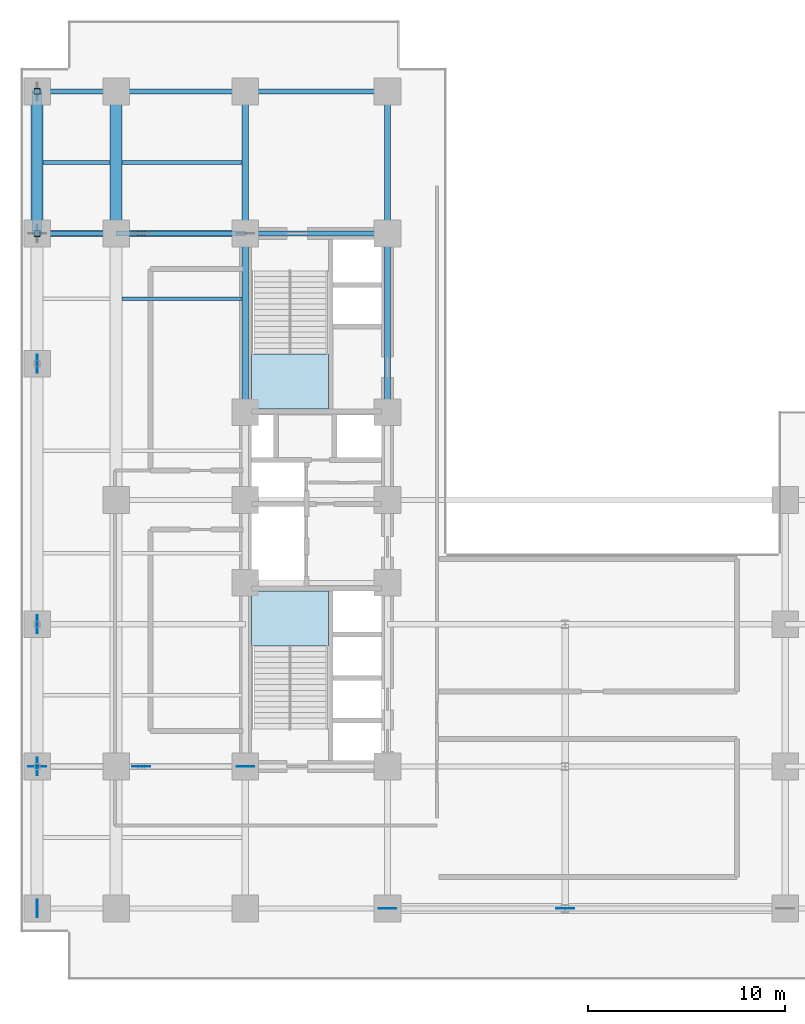
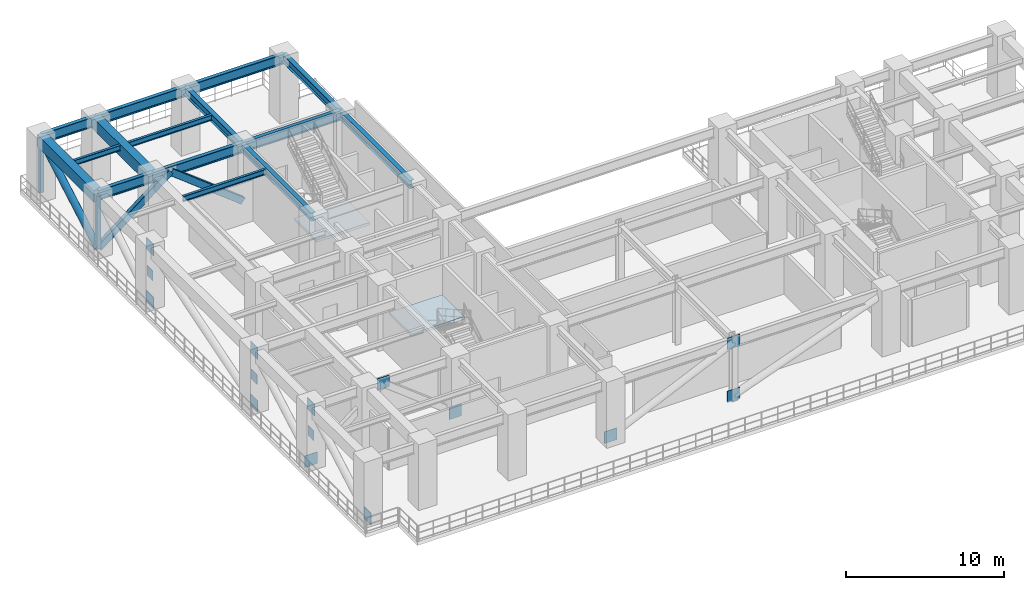
# One storey, part 4 of 15: 15 beams, 15 plates, 5 members, 2 slabs, 2 elements without a shape of their own.
"""IFC4 building model written with IfcOpenShell, lengths in metres."""

from ifc_helpers import new_model, entity, si_unit, converted_unit, direction, frame, origin_with_axes, origin_2d_with_axis, place, context, subcontext, project, spatial, polyline, rectangle, hollow_rectangle, hollow_circle, i_section, outline, extrude, material, layer, layer_set, material_profile, profile_set, type_object, element, aggregate, save


model = new_model("IFC4")

# Units and contexts
model_context = context("Model", 3, precision=1e-05, world=origin_with_axes(), true_north=direction((0.0, 1.0)))
body_context = subcontext(model_context, "Body", "Model", "MODEL_VIEW")
ifc_project = project(units=[si_unit("LENGTHUNIT", "METRE"), si_unit("AREAUNIT", "SQUARE_METRE"), si_unit("VOLUMEUNIT", "CUBIC_METRE"), converted_unit("PLANEANGLEUNIT", "DEGREE", entity("IfcPlaneAngleMeasure", 0.017453292519943295), si_unit("PLANEANGLEUNIT", "RADIAN"), dimensions=[0, 0, 0, 0, 0, 0, 0]), si_unit("MASSUNIT", "GRAM", prefix="KILO"), si_unit("THERMODYNAMICTEMPERATUREUNIT", "KELVIN")], contexts=[model_context])

# Site, building, storey
site_placement = place(None, origin_with_axes())
site = spatial("IfcSite", under=ifc_project, at=site_placement, CompositionType="ELEMENT")
building_placement = place(site_placement, origin_with_axes())
building = spatial("IfcBuilding", under=site, at=building_placement, Name="Varnlund Millrace Tower", CompositionType="ELEMENT")
storey_placement = place(building_placement, frame((0.0, 0.0, 79.5), z_axis=(0.0, 0.0, 1.0), x_axis=(1.0, 0.0, 0.0)))
storey = spatial("IfcBuildingStorey", under=building, at=storey_placement, Name="L19", CompositionType="ELEMENT", Elevation=79.5)

# Members
ifc_material_1 = material(Name="Steel ASTM A500 Grade C", Category="steel")
ifc_material_profile_1 = material_profile(ifc_material_1, hollow_circle(Radius=0.254, WallThickness=0.0147, at=origin_2d_with_axis()), Name="Steel ASTM A500 Grade C")
ifc_profile_set_1 = profile_set([ifc_material_profile_1], Name="Steel ASTM A500 Grade C")
member_type_1 = type_object("IfcMemberType", Name="Type-Belt-Brace-CHS508", PredefinedType="BRACE", material=ifc_profile_set_1)
member_placement = place(storey_placement, frame((0.85, 37.8, 0.35), z_axis=(0.0, 0.868985, 0.494839), x_axis=(-1.0, 0.0, 0.0)))
element("IfcMember", 1, at=member_placement, inside=storey, type_object=member_type_1, Name="Type-Belt-Brace-CHS508", PredefinedType="BRACE", context=body_context, shape_type="SweptSolid", body=[
    extrude(hollow_circle(Radius=0.254, WallThickness=0.0147, at=origin_2d_with_axis()), origin_with_axes(), (0.0, 0.0, 1.0), 8.28553),
])
ifc_material_profile_2 = material_profile(ifc_material_1, hollow_rectangle(XDim=0.305, YDim=0.305, WallThickness=0.0147, InnerFilletRadius=0.015, OuterFilletRadius=0.03, at=origin_2d_with_axis()), Name="Steel ASTM A500 Grade C")
ifc_profile_set_2 = profile_set([ifc_material_profile_2], Name="Steel ASTM A500 Grade C")
member_type_2 = type_object("IfcMemberType", Name="Type-Belt-Chord-HSS12", PredefinedType="CHORD", material=ifc_profile_set_2)
for number, where, z_axis, x_axis, name in (
    (2, (0.85, 37.8, 0.35), (0.0, 0.0, 1.0), (1.0, 0.0, 0.0), "Type-Belt-Chord-HSS12"),
    (3, (0.85, 45.0, 0.35), (0.0, 0.0, 1.0), (1.0, 0.0, 0.0), "Type-Belt-Chord-HSS12"),
):
    element("IfcMember", number, at=place(storey_placement, frame(where, z_axis=z_axis, x_axis=x_axis)), inside=storey, type_object=member_type_2, Name=name, PredefinedType="CHORD", context=body_context, shape_type="SweptSolid", body=[
        extrude(hollow_rectangle(XDim=0.305, YDim=0.305, WallThickness=0.0147, InnerFilletRadius=0.015, OuterFilletRadius=0.03, at=origin_2d_with_axis()), origin_with_axes(), (0.0, 0.0, 1.0), 4.1),
    ])

# Beams
ifc_material_2 = material(Name="Steel ASTM A992 Grade 50", Category="steel")
ifc_material_profile_3 = material_profile(ifc_material_2, i_section(OverallWidth=0.328, OverallDepth=0.628, WebThickness=0.0165, FlangeThickness=0.0277, FilletRadius=0.018, at=origin_2d_with_axis()), Name="Steel ASTM A992 Grade 50")
ifc_profile_set_3 = profile_set([ifc_material_profile_3], Name="Steel ASTM A992 Grade 50")
beam_type_1 = type_object("IfcBeamType", Name="Type-Girder-W24X146", PredefinedType="USERDEFINED", material=ifc_profile_set_3)
beam_1_placement = place(storey_placement, frame((11.4, 28.75, 4.546), z_axis=(0.0, 1.0, 0.0), x_axis=(-1.0, 0.0, 0.0)))
element("IfcBeam", 4, at=beam_1_placement, inside=storey, type_object=beam_type_1, Name="Type-Girder-W24X146", ObjectType="GIRDER", PredefinedType="USERDEFINED", context=body_context, shape_type="SweptSolid", body=[
    extrude(i_section(OverallWidth=0.328, OverallDepth=0.628, WebThickness=0.0165, FlangeThickness=0.0277, FilletRadius=0.018, at=origin_2d_with_axis()), origin_with_axes(), (0.0, 0.0, 1.0), 9.05),
])
beam_2_placement = place(storey_placement, frame((11.4, 37.8, 4.546), z_axis=(0.0, 1.0, 0.0), x_axis=(-1.0, 0.0, 0.0)))
element("IfcBeam", 5, at=beam_2_placement, inside=storey, type_object=beam_type_1, Name="Type-Girder-W24X146", ObjectType="GIRDER", PredefinedType="USERDEFINED", context=body_context, shape_type="SweptSolid", body=[
    extrude(i_section(OverallWidth=0.328, OverallDepth=0.628, WebThickness=0.0165, FlangeThickness=0.0277, FilletRadius=0.018, at=origin_2d_with_axis()), origin_with_axes(), (0.0, 0.0, 1.0), 7.2),
])
beam_3_placement = place(storey_placement, frame((18.6, 28.75, 4.546), z_axis=(0.0, 1.0, 0.0), x_axis=(-1.0, 0.0, 0.0)))
element("IfcBeam", 6, at=beam_3_placement, inside=storey, type_object=beam_type_1, Name="Type-Girder-W24X146", ObjectType="GIRDER", PredefinedType="USERDEFINED", context=body_context, shape_type="SweptSolid", body=[
    extrude(i_section(OverallWidth=0.328, OverallDepth=0.628, WebThickness=0.0165, FlangeThickness=0.0277, FilletRadius=0.018, at=origin_2d_with_axis()), origin_with_axes(), (0.0, 0.0, 1.0), 9.05),
])
beam_4_placement = place(storey_placement, frame((18.6, 37.8, 4.546), z_axis=(0.0, 1.0, 0.0), x_axis=(-1.0, 0.0, 0.0)))
element("IfcBeam", 7, at=beam_4_placement, inside=storey, type_object=beam_type_1, Name="Type-Girder-W24X146", ObjectType="GIRDER", PredefinedType="USERDEFINED", context=body_context, shape_type="SweptSolid", body=[
    extrude(i_section(OverallWidth=0.328, OverallDepth=0.628, WebThickness=0.0165, FlangeThickness=0.0277, FilletRadius=0.018, at=origin_2d_with_axis()), origin_with_axes(), (0.0, 0.0, 1.0), 7.2),
])
ifc_material_profile_4 = material_profile(ifc_material_2, i_section(OverallWidth=0.266, OverallDepth=0.779, WebThickness=0.0165, FlangeThickness=0.03, FilletRadius=0.02, at=origin_2d_with_axis()), Name="Steel ASTM A992 Grade 50")
ifc_profile_set_4 = profile_set([ifc_material_profile_4], Name="Steel ASTM A992 Grade 50")
beam_type_2 = type_object("IfcBeamType", Name="Type-Girder-W30X148", PredefinedType="USERDEFINED", material=ifc_profile_set_4)
beam_5_placement = place(storey_placement, frame((0.85, 37.8, 4.4705), z_axis=(1.0, 0.0, 0.0), x_axis=(0.0, 1.0, 0.0)))
element("IfcBeam", 8, at=beam_5_placement, inside=storey, type_object=beam_type_2, Name="Type-Girder-W30X148", ObjectType="GIRDER", PredefinedType="USERDEFINED", context=body_context, shape_type="SweptSolid", body=[
    extrude(i_section(OverallWidth=0.266, OverallDepth=0.779, WebThickness=0.0165, FlangeThickness=0.03, FilletRadius=0.02, at=origin_2d_with_axis()), origin_with_axes(), (0.0, 0.0, 1.0), 4.0),
])
beam_6_placement = place(storey_placement, frame((4.85, 37.8, 4.4705), z_axis=(1.0, 0.0, 0.0), x_axis=(0.0, 1.0, 0.0)))
element("IfcBeam", 9, at=beam_6_placement, inside=storey, type_object=beam_type_2, Name="Type-Girder-W30X148", ObjectType="GIRDER", PredefinedType="USERDEFINED", context=body_context, shape_type="SweptSolid", body=[
    extrude(i_section(OverallWidth=0.266, OverallDepth=0.779, WebThickness=0.0165, FlangeThickness=0.03, FilletRadius=0.02, at=origin_2d_with_axis()), origin_with_axes(), (0.0, 0.0, 1.0), 6.55),
])
beam_7_placement = place(storey_placement, frame((11.4, 37.8, 4.4705), z_axis=(1.0, 0.0, 0.0), x_axis=(0.0, 1.0, 0.0)))
element("IfcBeam", 10, at=beam_7_placement, inside=storey, type_object=beam_type_2, Name="Type-Girder-W30X148", ObjectType="GIRDER", PredefinedType="USERDEFINED", context=body_context, shape_type="SweptSolid", body=[
    extrude(i_section(OverallWidth=0.266, OverallDepth=0.779, WebThickness=0.0165, FlangeThickness=0.03, FilletRadius=0.02, at=origin_2d_with_axis()), origin_with_axes(), (0.0, 0.0, 1.0), 7.2),
])
beam_8_placement = place(storey_placement, frame((0.85, 45.0, 4.4705), z_axis=(1.0, 0.0, 0.0), x_axis=(0.0, 1.0, 0.0)))
element("IfcBeam", 11, at=beam_8_placement, inside=storey, type_object=beam_type_2, Name="Type-Girder-W30X148", ObjectType="GIRDER", PredefinedType="USERDEFINED", context=body_context, shape_type="SweptSolid", body=[
    extrude(i_section(OverallWidth=0.266, OverallDepth=0.779, WebThickness=0.0165, FlangeThickness=0.03, FilletRadius=0.02, at=origin_2d_with_axis()), origin_with_axes(), (0.0, 0.0, 1.0), 4.0),
])
beam_9_placement = place(storey_placement, frame((4.85, 45.0, 4.4705), z_axis=(1.0, 0.0, 0.0), x_axis=(0.0, 1.0, 0.0)))
element("IfcBeam", 12, at=beam_9_placement, inside=storey, type_object=beam_type_2, Name="Type-Girder-W30X148", ObjectType="GIRDER", PredefinedType="USERDEFINED", context=body_context, shape_type="SweptSolid", body=[
    extrude(i_section(OverallWidth=0.266, OverallDepth=0.779, WebThickness=0.0165, FlangeThickness=0.03, FilletRadius=0.02, at=origin_2d_with_axis()), origin_with_axes(), (0.0, 0.0, 1.0), 6.55),
])
beam_10_placement = place(storey_placement, frame((11.4, 45.0, 4.4705), z_axis=(1.0, 0.0, 0.0), x_axis=(0.0, 1.0, 0.0)))
element("IfcBeam", 13, at=beam_10_placement, inside=storey, type_object=beam_type_2, Name="Type-Girder-W30X148", ObjectType="GIRDER", PredefinedType="USERDEFINED", context=body_context, shape_type="SweptSolid", body=[
    extrude(i_section(OverallWidth=0.266, OverallDepth=0.779, WebThickness=0.0165, FlangeThickness=0.03, FilletRadius=0.02, at=origin_2d_with_axis()), origin_with_axes(), (0.0, 0.0, 1.0), 7.2),
])
ifc_material_profile_5 = material_profile(ifc_material_2, i_section(OverallWidth=0.181, OverallDepth=0.417, WebThickness=0.0109, FlangeThickness=0.0182, FilletRadius=0.013, at=origin_2d_with_axis()), Name="Steel ASTM A992 Grade 50")
ifc_profile_set_5 = profile_set([ifc_material_profile_5], Name="Steel ASTM A992 Grade 50")
beam_type_3 = type_object("IfcBeamType", Name="Type-Joist-W16X57", PredefinedType="JOIST", material=ifc_profile_set_5)
beam_11_placement = place(storey_placement, frame((1.15, 41.4, 4.6515), z_axis=(1.0, 0.0, 0.0), x_axis=(0.0, 1.0, 0.0)))
element("IfcBeam", 14, at=beam_11_placement, inside=storey, type_object=beam_type_3, Name="Type-Joist-W16X57", PredefinedType="JOIST", context=body_context, shape_type="SweptSolid", body=[
    extrude(i_section(OverallWidth=0.181, OverallDepth=0.417, WebThickness=0.0109, FlangeThickness=0.0182, FilletRadius=0.013, at=origin_2d_with_axis()), origin_with_axes(), (0.0, 0.0, 1.0), 3.4),
])
for number, where, z_axis, x_axis, name in (
    (15, (5.15, 34.5, 4.6515), (1.0, 0.0, 0.0), (0.0, 1.0, 0.0), "Type-Joist-W16X57"),
    (16, (5.15, 41.4, 4.6515), (1.0, 0.0, 0.0), (0.0, 1.0, 0.0), "Type-Joist-W16X57"),
):
    element("IfcBeam", number, at=place(storey_placement, frame(where, z_axis=z_axis, x_axis=x_axis)), inside=storey, type_object=beam_type_3, Name=name, PredefinedType="JOIST", context=body_context, shape_type="SweptSolid", body=[
        extrude(i_section(OverallWidth=0.181, OverallDepth=0.417, WebThickness=0.0109, FlangeThickness=0.0182, FilletRadius=0.013, at=origin_2d_with_axis()), origin_with_axes(), (0.0, 0.0, 1.0), 6.086),
    ])

# Members
ifc_material_profile_6 = material_profile(ifc_material_1, hollow_rectangle(XDim=0.305, YDim=0.508, WallThickness=0.0147, InnerFilletRadius=0.015, OuterFilletRadius=0.03, at=origin_2d_with_axis()), Name="Steel ASTM A500 Grade C")
ifc_profile_set_6 = profile_set([ifc_material_profile_6], Name="Steel ASTM A500 Grade C")
member_type_3 = type_object("IfcMemberType", Name="Type-Outrigger-Brace-HSS20X12", PredefinedType="BRACE", material=ifc_profile_set_6)
for number, where, z_axis, x_axis, name in (
    (17, (0.85, 37.8, 0.35), (0.789554, 0.0, 0.613682), (0.0, 1.0, 0.0), "Type-Outrigger-Brace-HSS20X12"),
    (18, (11.4, 37.8, 0.35), (-0.789554, 0.0, 0.613682), (0.0, -1.0, 0.0), "Type-Outrigger-Brace-HSS20X12"),
):
    element("IfcMember", number, at=place(storey_placement, frame(where, z_axis=z_axis, x_axis=x_axis)), inside=storey, type_object=member_type_3, Name=name, PredefinedType="BRACE", context=body_context, shape_type="SweptSolid", body=[
        extrude(hollow_rectangle(XDim=0.305, YDim=0.508, WallThickness=0.0147, InnerFilletRadius=0.015, OuterFilletRadius=0.03, at=origin_2d_with_axis()), origin_with_axes(), (0.0, 0.0, 1.0), 6.68099),
    ])

# Beams
ifc_material_3 = material(Name="Concrete C70/85", Category="concrete")
ifc_material_profile_7 = material_profile(ifc_material_3, rectangle(XDim=0.6, YDim=0.9, at=origin_2d_with_axis()), Name="Concrete C70/85")
ifc_profile_set_7 = profile_set([ifc_material_profile_7], Name="Concrete C70/85")
beam_type_4 = type_object("IfcBeamType", Name="Type-Spandrel-RC600X900", PredefinedType="SPANDREL", material=ifc_profile_set_7)
for number, where, z_axis, x_axis, name in (
    (19, (0.85, 37.8, 4.41), (0.0, 1.0, 0.0), (-1.0, 0.0, 0.0), "Type-Spandrel-RC600X900"),
    (20, (4.85, 37.8, 4.41), (0.0, 1.0, 0.0), (-1.0, 0.0, 0.0), "Type-Spandrel-RC600X900"),
):
    element("IfcBeam", number, at=place(storey_placement, frame(where, z_axis=z_axis, x_axis=x_axis)), inside=storey, type_object=beam_type_4, Name=name, PredefinedType="SPANDREL", context=body_context, shape_type="SweptSolid", body=[
        extrude(rectangle(XDim=0.6, YDim=0.9, at=origin_2d_with_axis()), origin_with_axes(), (0.0, 0.0, 1.0), 7.2),
    ])

# Plates
ifc_material_4 = material(Name="Steel ASTM A572 Grade 50", Category="steel")
ifc_layer_1 = layer(ifc_material_4, 0.04, Name="Steel ASTM A572 Grade 50")
ifc_layer_set_1 = layer_set([ifc_layer_1], Name="Steel ASTM A572 Grade 50")
plate_type_1 = type_object("IfcPlateType", Name="Type-Gusset-Plate-900X900X40", PredefinedType="SHEET", material=ifc_layer_set_1)
for number, where, z_axis, x_axis, name in (
    (21, (0.85, 3.6, -0.1), (0.0, 0.0, 1.0), (0.0, 1.0, 0.0), "Type-Gusset-Plate-900X900X40"),
    (22, (0.85, 10.8, -0.1), (0.0, 0.0, 1.0), (1.0, 0.0, 0.0), "Type-Gusset-Plate-900X900X40"),
    (23, (0.85, 10.8, 4.0), (0.0, 0.0, 1.0), (0.0, 1.0, 0.0), "Type-Gusset-Plate-900X900X40"),
    (24, (0.85, 18.0, -0.1), (0.0, 0.0, 1.0), (0.0, 1.0, 0.0), "Type-Gusset-Plate-900X900X40"),
    (25, (0.85, 18.0, 4.0), (0.0, 0.0, 1.0), (0.0, 1.0, 0.0), "Type-Gusset-Plate-900X900X40"),
    (26, (0.85, 31.2, -0.1), (0.0, 0.0, 1.0), (0.0, 1.0, 0.0), "Type-Gusset-Plate-900X900X40"),
    (27, (0.85, 31.2, 4.0), (0.0, 0.0, 1.0), (0.0, 1.0, 0.0), "Type-Gusset-Plate-900X900X40"),
    (28, (6.125, 10.8, 4.0), (0.0, 0.0, 1.0), (1.0, 0.0, 0.0), "Type-Gusset-Plate-900X900X40"),
    (29, (11.4, 10.8, -0.1), (0.0, 0.0, 1.0), (1.0, 0.0, 0.0), "Type-Gusset-Plate-900X900X40"),
    (30, (18.6, 3.6, -0.1), (0.0, 0.0, 1.0), (1.0, 0.0, 0.0), "Type-Gusset-Plate-900X900X40"),
    (31, (27.6, 3.6, -0.1), (0.0, 0.0, 1.0), (1.0, 0.0, 0.0), "Type-Gusset-Plate-900X900X40"),
    (32, (27.6, 3.6, 4.0), (0.0, 0.0, 1.0), (1.0, 0.0, 0.0), "Type-Gusset-Plate-900X900X40"),
):
    element("IfcPlate", number, at=place(storey_placement, frame(where, z_axis=z_axis, x_axis=x_axis)), inside=storey, type_object=plate_type_1, Name=name, PredefinedType="SHEET", context=body_context, shape_type="SweptSolid", body=[
        extrude(rectangle(XDim=0.9, YDim=0.04, at=origin_2d_with_axis()), origin_with_axes(), (0.0, 0.0, 1.0), 0.9),
    ])

# Stair, slab
ifc_material_5 = material(Name="Concrete C50/60", Category="concrete")
stair_type = type_object("IfcStairType", Name="Type-Stair-Dogleg-185-510", PredefinedType="HALF_TURN_STAIR", material=ifc_material_5)
stair_1_placement = place(storey_placement, origin_with_axes())
stair_1 = element("IfcStair", 33, at=stair_1_placement, inside=storey, type_object=stair_type, Name="Type-Stair-Dogleg-185-510", PredefinedType="HALF_TURN_STAIR")
ifc_layer_2 = layer(ifc_material_5, 0.2, Name="Concrete C50/60")
ifc_layer_set_2 = layer_set([ifc_layer_2], Name="Concrete C50/60")
slab_type = type_object("IfcSlabType", Name="Type-StairLanding-200", PredefinedType="LANDING", material=ifc_layer_set_2)
slab_1_placement = place(storey_placement, frame((0.0, 0.0, 2.35), z_axis=(0.0, 0.0, 1.0), x_axis=(1.0, 0.0, 0.0)))
slab_1 = element("IfcSlab", 34, at=slab_1_placement, type_object=slab_type, Name="ST-A1 landing 1", PredefinedType="LANDING", context=body_context, shape_type="SweptSolid", body=[
    extrude(outline(polyline([(15.6, 16.9), (15.6, 19.7), (11.7, 19.7), (11.7, 16.9), (15.6, 16.9)])), origin_with_axes(), (0.0, 0.0, 1.0), 0.2),
])
aggregate(stair_1, [slab_1])

stair_2_placement = place(storey_placement, origin_with_axes())
stair_2 = element("IfcStair", 35, at=stair_2_placement, inside=storey, type_object=stair_type, Name="Type-Stair-Dogleg-185-510", PredefinedType="HALF_TURN_STAIR")
slab_2_placement = place(storey_placement, frame((0.0, 0.0, 2.35), z_axis=(0.0, 0.0, 1.0), x_axis=(1.0, 0.0, 0.0)))
slab_2 = element("IfcSlab", 36, at=slab_2_placement, type_object=slab_type, Name="ST-A2 landing 1", PredefinedType="LANDING", context=body_context, shape_type="SweptSolid", body=[
    extrude(outline(polyline([(11.7, 31.7), (11.7, 28.9), (15.6, 28.9), (15.6, 31.7), (11.7, 31.7)])), origin_with_axes(), (0.0, 0.0, 1.0), 0.2),
])
aggregate(stair_2, [slab_2])

# Plates
ifc_layer_3 = layer(ifc_material_4, 0.032, Name="Steel ASTM A572 Grade 50")
ifc_layer_set_3 = layer_set([ifc_layer_3], Name="Steel ASTM A572 Grade 50")
plate_type_2 = type_object("IfcPlateType", Name="Type-Stiffener-Plate-750X750X32", PredefinedType="USERDEFINED", material=ifc_layer_set_3)
for number, where, z_axis, x_axis, name in (
    (37, (0.85, 10.8, 2.025), (0.0, 0.0, 1.0), (0.0, 1.0, 0.0), "Type-Stiffener-Plate-750X750X32"),
    (38, (0.85, 18.0, 2.025), (0.0, 0.0, 1.0), (0.0, 1.0, 0.0), "Type-Stiffener-Plate-750X750X32"),
    (39, (0.85, 31.2, 2.025), (0.0, 0.0, 1.0), (0.0, 1.0, 0.0), "Type-Stiffener-Plate-750X750X32"),
):
    element("IfcPlate", number, at=place(storey_placement, frame(where, z_axis=z_axis, x_axis=x_axis)), inside=storey, type_object=plate_type_2, Name=name, ObjectType="STIFFENER PLATE", PredefinedType="USERDEFINED", context=body_context, shape_type="SweptSolid", body=[
        extrude(rectangle(XDim=0.75, YDim=0.032, at=origin_2d_with_axis()), origin_with_axes(), (0.0, 0.0, 1.0), 0.75),
    ])

save(model, "model.ifc")
